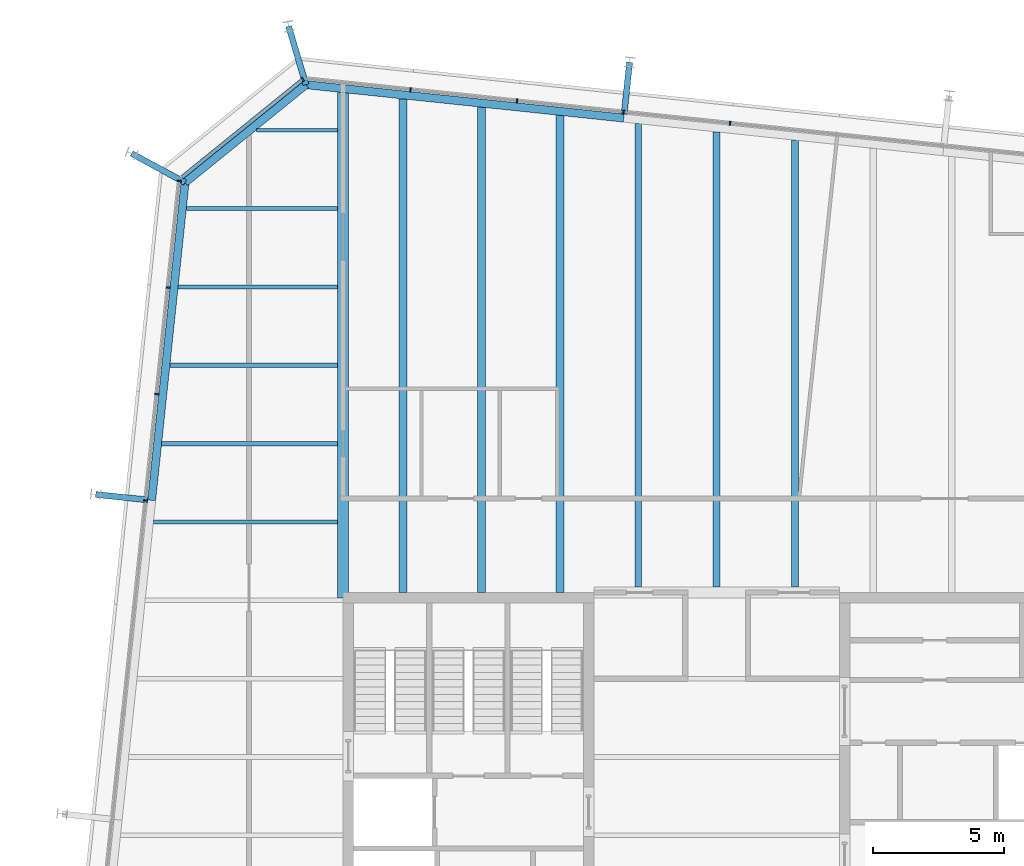
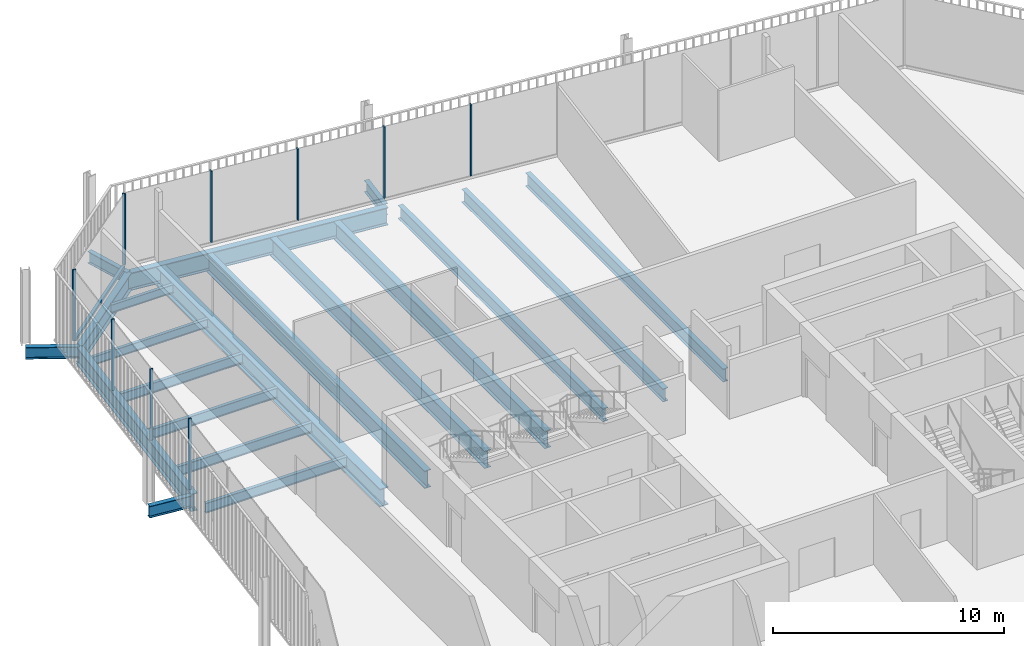
# One storey, part 12 of 20: 20 beams, 10 members, 3 elements without a shape of their own.
"""IFC4 building model written with IfcOpenShell, lengths in metres."""

from ifc_helpers import new_model, si_unit, direction, frame, origin, origin_2d, place, context, subcontext, project, spatial, rectangle, i_section, extrude, material, layer, layer_set, material_profile, profile_set, type_object, element, aggregate, save


model = new_model("IFC4")

# Units and contexts
model_context = context("Model", 3, precision=1e-05, world=origin(), true_north=direction((0.0, 1.0)))
body_context = subcontext(model_context, "Body", "Model", "MODEL_VIEW")
ifc_project = project(units=[si_unit("LENGTHUNIT", "METRE"), si_unit("AREAUNIT", "SQUARE_METRE"), si_unit("VOLUMEUNIT", "CUBIC_METRE"), si_unit("PLANEANGLEUNIT", "RADIAN"), si_unit("MASSUNIT", "GRAM", prefix="KILO")], contexts=[model_context])

# Site, building, storey
site_placement = place(None, origin())
site = spatial("IfcSite", under=ifc_project, at=site_placement, CompositionType="ELEMENT")
building_placement = place(site_placement, origin())
building = spatial("IfcBuilding", under=site, at=building_placement, Name="Millrace Tower", CompositionType="ELEMENT")
storey_placement = place(building_placement, frame((0.0, 0.0, 295.5)))
storey = spatial("IfcBuildingStorey", under=building, at=storey_placement, Name="L68", CompositionType="ELEMENT", Elevation=295.5)

# Curtain wall, members
ifc_material_1 = material(Name="Aluminium and glass", Category="aluminium")
ifc_layer = layer(ifc_material_1, 0.14990234375)
ifc_layer_set = layer_set([ifc_layer], Name="Aluminium and glass")
curtain_wall_type = type_object("IfcCurtainWallType", Name="CW-1 office vision curtain wall", PredefinedType="NOTDEFINED", material=ifc_layer_set)
placement = place(storey_placement, origin())
curtain_wall_1 = element("IfcCurtainWall", 1, at=placement, inside=storey, type_object=curtain_wall_type, Name="Curtain wall E-F06 L68", PredefinedType="NOTDEFINED")
ifc_material_2 = material(Name="Aluminium", Category="aluminium")
ifc_material_profile_1 = material_profile(ifc_material_2, rectangle(XDim=0.06494140625, YDim=0.14990234375, at=origin_2d()))
ifc_profile_set_1 = profile_set([ifc_material_profile_1], Name="Aluminium")
member_type_1 = type_object("IfcMemberType", Name="CW-1 office vision curtain wall mullion", PredefinedType="MULLION", material=ifc_profile_set_1)
member_1_placement = place(storey_placement, frame((0.514892578125, 27.267578125, 0.139892578125), z_axis=(0.0, 0.0, 1.0), x_axis=(-0.994521896217, 0.104528455196, 0.0)))
member_1 = element("IfcMember", 2, at=member_1_placement, type_object=member_type_1, Name="CW1 mullion E-F06.6", PredefinedType="MULLION", context=body_context, shape_type="SweptSolid", body=[
    extrude(rectangle(XDim=0.06494140625, YDim=0.14990234375, at=origin_2d()), origin(), (0.0, 0.0, 1.0), 3.760009765625),
])
member_2_placement = place(storey_placement, frame((-3.562744140625, 27.6962890625, 0.139892578125), z_axis=(0.0, 0.0, 1.0), x_axis=(-0.994521896217, 0.104528455196, 0.0)))
member_2 = element("IfcMember", 3, at=member_2_placement, type_object=member_type_1, Name="CW1 mullion E-F06.7", PredefinedType="MULLION", context=body_context, shape_type="SweptSolid", body=[
    extrude(rectangle(XDim=0.06494140625, YDim=0.14990234375, at=origin_2d()), origin(), (0.0, 0.0, 1.0), 3.760009765625),
])
member_3_placement = place(storey_placement, frame((-7.640380859375, 28.124755859375, 0.139892578125), z_axis=(0.0, 0.0, 1.0), x_axis=(-0.994521896217, 0.104528455196, 0.0)))
member_3 = element("IfcMember", 4, at=member_3_placement, type_object=member_type_1, Name="CW1 mullion E-F06.8", PredefinedType="MULLION", context=body_context, shape_type="SweptSolid", body=[
    extrude(rectangle(XDim=0.06494140625, YDim=0.14990234375, at=origin_2d()), origin(), (0.0, 0.0, 1.0), 3.760009765625),
])
member_4_placement = place(storey_placement, frame((-11.7177734375, 28.55322265625, 0.139892578125), z_axis=(0.0, 0.0, 1.0), x_axis=(-0.994521896217, 0.104528455196, 0.0)))
member_4 = element("IfcMember", 5, at=member_4_placement, type_object=member_type_1, Name="CW1 mullion E-F06.9", PredefinedType="MULLION", context=body_context, shape_type="SweptSolid", body=[
    extrude(rectangle(XDim=0.06494140625, YDim=0.14990234375, at=origin_2d()), origin(), (0.0, 0.0, 1.0), 3.760009765625),
])
aggregate(curtain_wall_1, [member_1, member_2, member_3, member_4])

# Curtain wall, member
curtain_wall_2 = element("IfcCurtainWall", 6, at=placement, inside=storey, type_object=curtain_wall_type, Name="Curtain wall E-F07 L68", PredefinedType="NOTDEFINED")
member_5_placement = place(storey_placement, frame((-15.84326171875, 28.941650390625, 0.139892578125), z_axis=(0.0, 0.0, 1.0), x_axis=(-0.777146052237, -0.629320278945, 0.0)))
member_5 = element("IfcMember", 7, at=member_5_placement, type_object=member_type_1, Name="CW1 mullion E-F07.1", PredefinedType="MULLION", context=body_context, shape_type="SweptSolid", body=[
    extrude(rectangle(XDim=0.06494140625, YDim=0.14990234375, at=origin_2d()), origin(), (0.0, 0.0, 1.0), 3.760009765625),
])

# Curtain wall, members
curtain_wall_3 = element("IfcCurtainWall", 8, at=placement, inside=storey, type_object=curtain_wall_type, Name="Curtain wall E-F08 L68", PredefinedType="NOTDEFINED")
member_6_placement = place(storey_placement, frame((-20.57470703125, 25.052490234375, 0.139892578125), z_axis=(0.0, 0.0, 1.0), x_axis=(-0.104528455196, -0.994521896217, 0.0)))
member_6 = element("IfcMember", 9, at=member_6_placement, type_object=member_type_1, Name="CW1 mullion E-F08.1", PredefinedType="MULLION", context=body_context, shape_type="SweptSolid", body=[
    extrude(rectangle(XDim=0.06494140625, YDim=0.14990234375, at=origin_2d()), origin(), (0.0, 0.0, 1.0), 3.760009765625),
])
member_7_placement = place(storey_placement, frame((-21.00341796875, 20.974853515625, 0.139892578125), z_axis=(0.0, 0.0, 1.0), x_axis=(-0.104528455196, -0.994521896217, 0.0)))
member_7 = element("IfcMember", 10, at=member_7_placement, type_object=member_type_1, Name="CW1 mullion E-F08.2", PredefinedType="MULLION", context=body_context, shape_type="SweptSolid", body=[
    extrude(rectangle(XDim=0.06494140625, YDim=0.14990234375, at=origin_2d()), origin(), (0.0, 0.0, 1.0), 3.760009765625),
])
member_8_placement = place(storey_placement, frame((-21.431884765625, 16.8974609375, 0.139892578125), z_axis=(0.0, 0.0, 1.0), x_axis=(-0.104528455196, -0.994521896217, 0.0)))
member_8 = element("IfcMember", 11, at=member_8_placement, type_object=member_type_1, Name="CW1 mullion E-F08.3", PredefinedType="MULLION", context=body_context, shape_type="SweptSolid", body=[
    extrude(rectangle(XDim=0.06494140625, YDim=0.14990234375, at=origin_2d()), origin(), (0.0, 0.0, 1.0), 3.760009765625),
])
member_9_placement = place(storey_placement, frame((-21.860595703125, 12.81982421875, 0.139892578125), z_axis=(0.0, 0.0, 1.0), x_axis=(-0.104528455196, -0.994521896217, 0.0)))
member_9 = element("IfcMember", 12, at=member_9_placement, type_object=member_type_1, Name="CW1 mullion E-F08.4", PredefinedType="MULLION", context=body_context, shape_type="SweptSolid", body=[
    extrude(rectangle(XDim=0.06494140625, YDim=0.14990234375, at=origin_2d()), origin(), (0.0, 0.0, 1.0), 3.760009765625),
])
aggregate(curtain_wall_3, [member_6, member_7, member_8, member_9])

# Member
ifc_material_3 = material(Name="Aluminium", Category="aluminium")
ifc_material_profile_2 = material_profile(ifc_material_3, rectangle(XDim=0.14990234375, YDim=0.139892578125, at=origin_2d()))
ifc_profile_set_2 = profile_set([ifc_material_profile_2], Name="Aluminium")
member_type_2 = type_object("IfcMemberType", Name="CW-1 office vision curtain wall transom", PredefinedType="USERDEFINED", material=ifc_profile_set_2)
member_10_placement = place(storey_placement, frame((-15.895751953125, 28.899169921875, 0.070068359375), z_axis=(-0.777165591695, -0.629296148951, 0.0), x_axis=(0.629296148951, -0.777165591695, 0.0)))
member_10 = element("IfcMember", 13, at=member_10_placement, type_object=member_type_2, Name="CW1 transom E-F07.1", ObjectType="TRANSOM", PredefinedType="USERDEFINED", context=body_context, shape_type="SweptSolid", body=[
    extrude(rectangle(XDim=0.14990234375, YDim=0.139892578125, at=origin_2d()), origin(), (0.0, 0.0, 1.0), 5.881103515625),
])

aggregate(curtain_wall_2, [member_5, member_10])

# Beams
ifc_material_4 = material(Name="Steel ASTM A992 Grade 50", Category="steel")
ifc_material_profile_3 = material_profile(ifc_material_4, i_section(OverallWidth=0.15234375, OverallDepth=0.449462890625, WebThickness=0.007568359375, FlangeThickness=0.0107421875, FilletRadius=0.01025390625, at=origin_2d()))
ifc_profile_set_3 = profile_set([ifc_material_profile_3], Name="Steel ASTM A992 Grade 50")
beam_type_1 = type_object("IfcBeamType", Name="Floor beam W18x35", PredefinedType="JOIST", material=ifc_profile_set_3)
beam_1_placement = place(storey_placement, frame((-20.301025390625, 24.0, -0.384765625), z_axis=(1.0, 0.0, 0.0), x_axis=(0.0, 1.0, 0.0)))
element("IfcBeam", 14, at=beam_1_placement, inside=storey, type_object=beam_type_1, Name="BM-E-L68-S1-S033", PredefinedType="JOIST", context=body_context, shape_type="SweptSolid", body=[
    extrude(i_section(OverallWidth=0.15234375, OverallDepth=0.449462890625, WebThickness=0.007568359375, FlangeThickness=0.0107421875, FilletRadius=0.01025390625, at=origin_2d()), origin(), (0.0, 0.0, 1.0), 5.79150390625),
])
beam_2_placement = place(storey_placement, frame((-17.609619140625, 27.0, -0.384765625), z_axis=(1.0, 0.0, 0.0), x_axis=(0.0, 1.0, 0.0)))
element("IfcBeam", 15, at=beam_2_placement, inside=storey, type_object=beam_type_1, Name="BM-E-L68-S1-S035", PredefinedType="JOIST", context=body_context, shape_type="SweptSolid", body=[
    extrude(i_section(OverallWidth=0.15234375, OverallDepth=0.449462890625, WebThickness=0.007568359375, FlangeThickness=0.0107421875, FilletRadius=0.01025390625, at=origin_2d()), origin(), (0.0, 0.0, 1.0), 3.10009765625),
])
ifc_material_5 = material(Name="Steel ASTM A992 Grade 50", Category="steel")
ifc_material_profile_4 = material_profile(ifc_material_5, i_section(OverallWidth=0.1650390625, OverallDepth=0.52587890625, WebThickness=0.0087890625, FlangeThickness=0.011474609375, FilletRadius=0.0126953125, at=origin_2d()))
ifc_profile_set_4 = profile_set([ifc_material_profile_4], Name="Steel ASTM A992 Grade 50")
beam_type_2 = type_object("IfcBeamType", Name="Floor beam W21x44", PredefinedType="JOIST", material=ifc_profile_set_4)
beam_3_placement = place(storey_placement, frame((-21.562255859375, 12.0, -0.4228515625), z_axis=(1.0, 0.0, 0.0), x_axis=(0.0, 1.0, 0.0)))
element("IfcBeam", 16, at=beam_3_placement, inside=storey, type_object=beam_type_2, Name="BM-E-L68-S1-S025", PredefinedType="JOIST", context=body_context, shape_type="SweptSolid", body=[
    extrude(i_section(OverallWidth=0.1650390625, OverallDepth=0.52587890625, WebThickness=0.0087890625, FlangeThickness=0.011474609375, FilletRadius=0.0126953125, at=origin_2d()), origin(), (0.0, 0.0, 1.0), 7.052734375),
])
beam_4_placement = place(storey_placement, frame((-21.246826171875, 15.0, -0.4228515625), z_axis=(1.0, 0.0, 0.0), x_axis=(0.0, 1.0, 0.0)))
element("IfcBeam", 17, at=beam_4_placement, inside=storey, type_object=beam_type_2, Name="BM-E-L68-S1-S027", PredefinedType="JOIST", context=body_context, shape_type="SweptSolid", body=[
    extrude(i_section(OverallWidth=0.1650390625, OverallDepth=0.52587890625, WebThickness=0.0087890625, FlangeThickness=0.011474609375, FilletRadius=0.0126953125, at=origin_2d()), origin(), (0.0, 0.0, 1.0), 6.7373046875),
])
beam_5_placement = place(storey_placement, frame((-20.931640625, 18.0, -0.4228515625), z_axis=(1.0, 0.0, 0.0), x_axis=(0.0, 1.0, 0.0)))
element("IfcBeam", 18, at=beam_5_placement, inside=storey, type_object=beam_type_2, Name="BM-E-L68-S1-S029", PredefinedType="JOIST", context=body_context, shape_type="SweptSolid", body=[
    extrude(i_section(OverallWidth=0.1650390625, OverallDepth=0.52587890625, WebThickness=0.0087890625, FlangeThickness=0.011474609375, FilletRadius=0.0126953125, at=origin_2d()), origin(), (0.0, 0.0, 1.0), 6.422119140625),
])
beam_6_placement = place(storey_placement, frame((-20.6162109375, 21.0, -0.4228515625), z_axis=(1.0, 0.0, 0.0), x_axis=(0.0, 1.0, 0.0)))
element("IfcBeam", 19, at=beam_6_placement, inside=storey, type_object=beam_type_2, Name="BM-E-L68-S1-S031", PredefinedType="JOIST", context=body_context, shape_type="SweptSolid", body=[
    extrude(i_section(OverallWidth=0.1650390625, OverallDepth=0.52587890625, WebThickness=0.0087890625, FlangeThickness=0.011474609375, FilletRadius=0.0126953125, at=origin_2d()), origin(), (0.0, 0.0, 1.0), 6.106689453125),
])
ifc_material_6 = material(Name="Steel ASTM A992 Grade 50", Category="steel")
ifc_material_profile_5 = material_profile(ifc_material_6, i_section(OverallWidth=0.256591796875, OverallDepth=0.693359375, WebThickness=0.014404296875, FlangeThickness=0.023681640625, FilletRadius=0.01513671875, at=origin_2d()))
ifc_profile_set_5 = profile_set([ifc_material_profile_5], Name="Steel ASTM A992 Grade 50")
beam_type_3 = type_object("IfcBeamType", Name="Floor beam W27x114", PredefinedType="JOIST", material=ifc_profile_set_5)
beam_7_placement = place(storey_placement, frame((-3.0, 9.509521484375, -0.506591796875), z_axis=(0.0, 1.0, 0.0), x_axis=(-1.0, 0.0, 0.0)))
element("IfcBeam", 20, at=beam_7_placement, inside=storey, type_object=beam_type_3, Name="BM-E-L68-S1-S042", PredefinedType="JOIST", context=body_context, shape_type="SweptSolid", body=[
    extrude(i_section(OverallWidth=0.256591796875, OverallDepth=0.693359375, WebThickness=0.014404296875, FlangeThickness=0.023681640625, FilletRadius=0.01513671875, at=origin_2d()), origin(), (0.0, 0.0, 1.0), 17.7431640625),
])
beam_8_placement = place(storey_placement, frame((0.0, 9.509521484375, -0.506591796875), z_axis=(0.0, 1.0, 0.0), x_axis=(-1.0, 0.0, 0.0)))
element("IfcBeam", 21, at=beam_8_placement, inside=storey, type_object=beam_type_3, Name="BM-E-L68-S1-S044", PredefinedType="JOIST", context=body_context, shape_type="SweptSolid", body=[
    extrude(i_section(OverallWidth=0.256591796875, OverallDepth=0.693359375, WebThickness=0.014404296875, FlangeThickness=0.023681640625, FilletRadius=0.01513671875, at=origin_2d()), origin(), (0.0, 0.0, 1.0), 17.427734375),
])
beam_9_placement = place(storey_placement, frame((3.0, 9.509521484375, -0.506591796875), z_axis=(0.0, 1.0, 0.0), x_axis=(-1.0, 0.0, 0.0)))
element("IfcBeam", 22, at=beam_9_placement, inside=storey, type_object=beam_type_3, Name="BM-E-L68-S1-S046", PredefinedType="JOIST", context=body_context, shape_type="SweptSolid", body=[
    extrude(i_section(OverallWidth=0.256591796875, OverallDepth=0.693359375, WebThickness=0.014404296875, FlangeThickness=0.023681640625, FilletRadius=0.01513671875, at=origin_2d()), origin(), (0.0, 0.0, 1.0), 17.112548828125),
])
ifc_material_7 = material(Name="Steel ASTM A992 Grade 50", Category="steel")
ifc_material_profile_6 = material_profile(ifc_material_7, i_section(OverallWidth=0.307373046875, OverallDepth=0.927001953125, WebThickness=0.01953125, FlangeThickness=0.031982421875, FilletRadius=0.01904296875, at=origin_2d()))
ifc_profile_set_6 = profile_set([ifc_material_profile_6], Name="Steel ASTM A992 Grade 50")
beam_type_4 = type_object("IfcBeamType", Name="Floor beam W36x194", PredefinedType="JOIST", material=ifc_profile_set_6)
beam_10_placement = place(storey_placement, frame((-12.0, 9.300048828125, -0.62353515625), z_axis=(0.0, 1.0, 0.0), x_axis=(-1.0, 0.0, 0.0)))
element("IfcBeam", 23, at=beam_10_placement, inside=storey, type_object=beam_type_4, Name="BM-E-L68-S1-S036", PredefinedType="JOIST", context=body_context, shape_type="SweptSolid", body=[
    extrude(i_section(OverallWidth=0.307373046875, OverallDepth=0.927001953125, WebThickness=0.01953125, FlangeThickness=0.031982421875, FilletRadius=0.01904296875, at=origin_2d()), origin(), (0.0, 0.0, 1.0), 18.8984375),
])
beam_11_placement = place(storey_placement, frame((-9.0, 9.300048828125, -0.62353515625), z_axis=(0.0, 1.0, 0.0), x_axis=(-1.0, 0.0, 0.0)))
element("IfcBeam", 24, at=beam_11_placement, inside=storey, type_object=beam_type_4, Name="BM-E-L68-S1-S038", PredefinedType="JOIST", context=body_context, shape_type="SweptSolid", body=[
    extrude(i_section(OverallWidth=0.307373046875, OverallDepth=0.927001953125, WebThickness=0.01953125, FlangeThickness=0.031982421875, FilletRadius=0.01904296875, at=origin_2d()), origin(), (0.0, 0.0, 1.0), 18.583251953125),
])
beam_12_placement = place(storey_placement, frame((-6.0, 9.300048828125, -0.62353515625), z_axis=(0.0, 1.0, 0.0), x_axis=(-1.0, 0.0, 0.0)))
element("IfcBeam", 25, at=beam_12_placement, inside=storey, type_object=beam_type_4, Name="BM-E-L68-S1-S040", PredefinedType="JOIST", context=body_context, shape_type="SweptSolid", body=[
    extrude(i_section(OverallWidth=0.307373046875, OverallDepth=0.927001953125, WebThickness=0.01953125, FlangeThickness=0.031982421875, FilletRadius=0.01904296875, at=origin_2d()), origin(), (0.0, 0.0, 1.0), 18.267822265625),
])
ifc_material_8 = material(Name="Steel ASTM A992 Grade 50", Category="steel")
ifc_material_profile_7 = material_profile(ifc_material_8, i_section(OverallWidth=0.424072265625, OverallDepth=0.947509765625, WebThickness=0.02392578125, FlangeThickness=0.042724609375, FilletRadius=0.024169921875, at=origin_2d()))
ifc_profile_set_7 = profile_set([ifc_material_profile_7], Name="Steel ASTM A992 Grade 50")
beam_type_5 = type_object("IfcBeamType", Name="Girder medium span W36x302", PredefinedType="BEAM", material=ifc_profile_set_7)
beam_13_placement = place(storey_placement, frame((-14.300048828125, 9.083984375, -0.6337890625), z_axis=(0.0, 1.0, 0.0), x_axis=(-1.0, 0.0, 0.0)))
element("IfcBeam", 26, at=beam_13_placement, inside=storey, type_object=beam_type_5, Name="BM-E-L68-S1-G054", PredefinedType="BEAM", context=body_context, shape_type="SweptSolid", body=[
    extrude(i_section(OverallWidth=0.424072265625, OverallDepth=0.947509765625, WebThickness=0.02392578125, FlangeThickness=0.042724609375, FilletRadius=0.024169921875, at=origin_2d()), origin(), (0.0, 0.0, 1.0), 19.356201171875),
])
ifc_material_9 = material(Name="Steel ASTM A992 Grade 50", Category="steel")
ifc_material_profile_8 = material_profile(ifc_material_9, i_section(OverallWidth=0.23046875, OverallDepth=0.6171875, WebThickness=0.01318359375, FlangeThickness=0.022216796875, FilletRadius=0.012939453125, at=origin_2d()))
ifc_profile_set_8 = profile_set([ifc_material_profile_8], Name="Steel ASTM A992 Grade 50")
beam_type_6 = type_object("IfcBeamType", Name="Link beam W24x94", PredefinedType="BEAM", material=ifc_profile_set_8)
beam_14_placement = place(storey_placement, frame((-21.782470703125, 12.84423828125, -0.468505859375), z_axis=(-0.994512808172, 0.104614886044, 0.0), x_axis=(-0.104614886044, -0.994512808172, 0.0)))
element("IfcBeam", 27, at=beam_14_placement, inside=storey, type_object=beam_type_6, Name="LNK-E-L68-S1-03", PredefinedType="BEAM", context=body_context, shape_type="SweptSolid", body=[
    extrude(i_section(OverallWidth=0.23046875, OverallDepth=0.6171875, WebThickness=0.01318359375, FlangeThickness=0.022216796875, FilletRadius=0.012939453125, at=origin_2d()), origin(), (0.0, 0.0, 1.0), 2.0),
])
for number, where, z_axis, x_axis, name in (
    (28, (-20.3505859375, 24.99755859375, -0.468505859375), (-0.87881453358, 0.477163510307, 0.0), (-0.477163510307, -0.87881453358, 0.0), "LNK-E-L68-S1-04"),
    (29, (-15.7236328125, 28.744384765625, -0.468505859375), (-0.284031275065, 0.958815015936, 0.0), (-0.958815015936, -0.284031275065, 0.0), "LNK-E-L68-S1-05"),
):
    element("IfcBeam", number, at=place(storey_placement, frame(where, z_axis=z_axis, x_axis=x_axis)), inside=storey, type_object=beam_type_6, Name=name, PredefinedType="BEAM", context=body_context, shape_type="SweptSolid", body=[
        extrude(i_section(OverallWidth=0.23046875, OverallDepth=0.6171875, WebThickness=0.01318359375, FlangeThickness=0.022216796875, FilletRadius=0.012939453125, at=origin_2d()), origin(), (0.0, 0.0, 1.0), 2.3310546875),
    ])
beam_15_placement = place(storey_placement, frame((-3.538330078125, 27.6181640625, -0.468505859375), z_axis=(0.104494148666, 0.99452550138, 0.0), x_axis=(-0.99452550138, 0.104494148666, 0.0)))
element("IfcBeam", 30, at=beam_15_placement, inside=storey, type_object=beam_type_6, Name="LNK-E-L68-S1-06", PredefinedType="BEAM", context=body_context, shape_type="SweptSolid", body=[
    extrude(i_section(OverallWidth=0.23046875, OverallDepth=0.6171875, WebThickness=0.01318359375, FlangeThickness=0.022216796875, FilletRadius=0.012939453125, at=origin_2d()), origin(), (0.0, 0.0, 1.0), 2.0),
])
ifc_material_10 = material(Name="Steel ASTM A992 Grade 50", Category="steel")
ifc_material_profile_9 = material_profile(ifc_material_10, i_section(OverallWidth=0.307373046875, OverallDepth=0.927001953125, WebThickness=0.01953125, FlangeThickness=0.031982421875, FilletRadius=0.01904296875, at=origin_2d()))
ifc_profile_set_9 = profile_set([ifc_material_profile_9], Name="Steel ASTM A992 Grade 50")
beam_type_7 = type_object("IfcBeamType", Name="Ring beam medium span W36x194", PredefinedType="SPANDREL", material=ifc_profile_set_9)
for number, where, z_axis, x_axis, name in (
    (31, (-21.629638671875, 12.828369140625, -0.62353515625), (0.104530030035, 0.994521730693, 0.0), (-0.994521730693, 0.104530030035, 0.0), "RNG-E-L68-S1-03"),
    (32, (-15.7236328125, 28.744384765625, -0.62353515625), (0.994521730693, -0.104530030035, 0.0), (0.104530030035, 0.994521730693, 0.0), "RNG-E-L68-S1-05"),
):
    element("IfcBeam", number, at=place(storey_placement, frame(where, z_axis=z_axis, x_axis=x_axis)), inside=storey, type_object=beam_type_7, Name=name, PredefinedType="SPANDREL", context=body_context, shape_type="SweptSolid", body=[
        extrude(i_section(OverallWidth=0.307373046875, OverallDepth=0.927001953125, WebThickness=0.01953125, FlangeThickness=0.031982421875, FilletRadius=0.01904296875, at=origin_2d()), origin(), (0.0, 0.0, 1.0), 12.236328125),
    ])
ifc_material_11 = material(Name="Steel ASTM A992 Grade 50", Category="steel")
ifc_material_profile_10 = material_profile(ifc_material_11, i_section(OverallWidth=0.307373046875, OverallDepth=0.927001953125, WebThickness=0.01953125, FlangeThickness=0.031982421875, FilletRadius=0.01904296875, at=origin_2d()))
ifc_profile_set_10 = profile_set([ifc_material_profile_10], Name="Steel ASTM A992 Grade 50")
beam_type_8 = type_object("IfcBeamType", Name="Ring beam short span W36x194", PredefinedType="SPANDREL", material=ifc_profile_set_10)
beam_16_placement = place(storey_placement, frame((-20.3505859375, 24.99755859375, -0.62353515625), z_axis=(0.777146502883, 0.629319722443, 0.0), x_axis=(-0.629319722443, 0.777146502883, 0.0)))
element("IfcBeam", 33, at=beam_16_placement, inside=storey, type_object=beam_type_8, Name="RNG-E-L68-S1-04", PredefinedType="SPANDREL", context=body_context, shape_type="SweptSolid", body=[
    extrude(i_section(OverallWidth=0.307373046875, OverallDepth=0.927001953125, WebThickness=0.01953125, FlangeThickness=0.031982421875, FilletRadius=0.01904296875, at=origin_2d()), origin(), (0.0, 0.0, 1.0), 5.953857421875),
])

save(model, "model.ifc")
